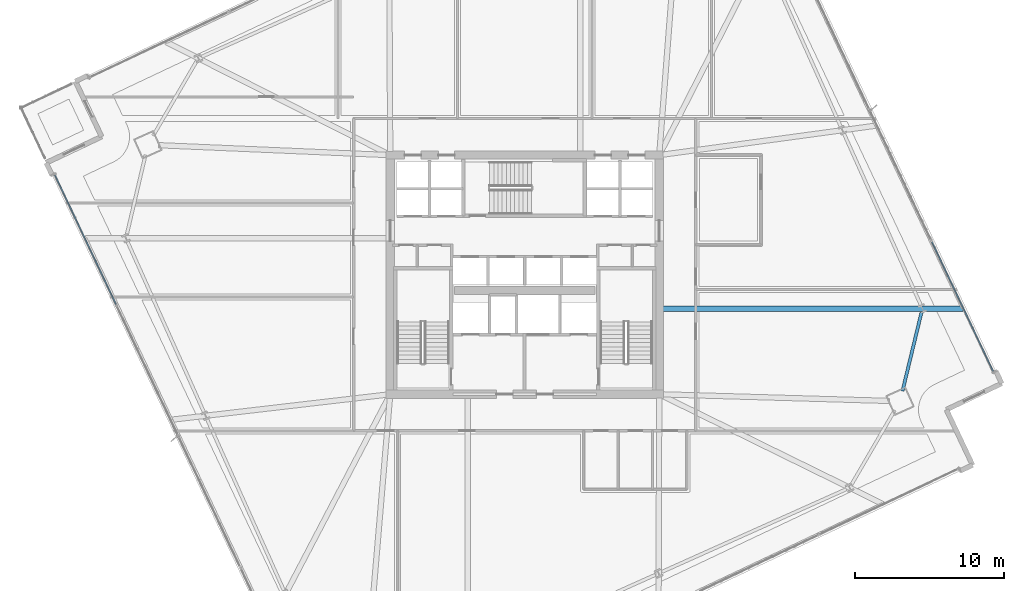
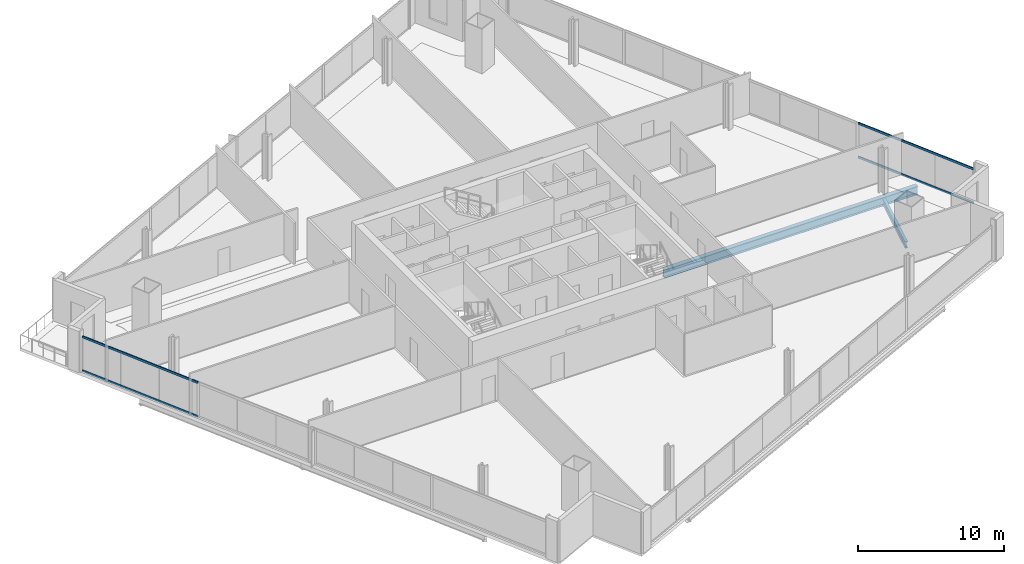
# One storey, part 12 of 34: 4 members, 2 beams, 2 elements without a shape of their own.
"""IFC4 building model written with IfcOpenShell, lengths in metres."""

from ifc_helpers import new_model, si_unit, direction, frame, origin, origin_2d, place, context, subcontext, project, spatial, hollow_rectangle, i_section, extrude, material, material_profile, profile_set, type_object, element, aggregate, save


model = new_model("IFC4")

# Units and contexts
model_context = context("Model", 3, precision=1e-05, world=origin(), true_north=direction((0.0, 1.0)))
body_context = subcontext(model_context, "Body", "Model", "MODEL_VIEW")
ifc_project = project(units=[si_unit("LENGTHUNIT", "METRE"), si_unit("AREAUNIT", "SQUARE_METRE"), si_unit("VOLUMEUNIT", "CUBIC_METRE"), si_unit("PLANEANGLEUNIT", "RADIAN"), si_unit("MASSUNIT", "GRAM", prefix="KILO")], contexts=[model_context])

# Site, building, storey
site_placement = place(None, origin())
site = spatial("IfcSite", under=ifc_project, at=site_placement, CompositionType="ELEMENT")
building_placement = place(site_placement, origin())
building = spatial("IfcBuilding", under=site, at=building_placement, Name="Haldenkirk Collegiate Tower", CompositionType="ELEMENT")
storey_placement = place(building_placement, frame((0.0, 0.0, 112.949951171875)))
storey = spatial("IfcBuildingStorey", under=building, at=storey_placement, Name="L27", CompositionType="ELEMENT", Elevation=112.949951171875)

# Beams
ifc_material_1 = material(Name="Steel ASTM A992 Grade 50", Category="steel")
ifc_material_profile_1 = material_profile(ifc_material_1, i_section(OverallWidth=0.35498046875, OverallDepth=0.696044921875, WebThickness=0.015380859375, FlangeThickness=0.02490234375, at=origin_2d()), Name="W27X146")
ifc_profile_set_1 = profile_set([ifc_material_profile_1], Name="Steel ASTM A992 Grade 50")
beam_type_1 = type_object("IfcBeamType", Name="BM-GIRDER-W27X146", PredefinedType="BEAM", material=ifc_profile_set_1)
beam_1_placement = place(storey_placement, frame((65.312744140625, 23.727294921875, -0.64794921875), z_axis=(-1.0, 0.0, 0.0), x_axis=(0.0, -1.0, 0.0)))
element("IfcBeam", 1, at=beam_1_placement, inside=storey, type_object=beam_type_1, Name="L27 primary floor girder 08", PredefinedType="BEAM", context=body_context, shape_type="SweptSolid", body=[
    extrude(i_section(OverallWidth=0.35498046875, OverallDepth=0.696044921875, WebThickness=0.015380859375, FlangeThickness=0.02490234375, at=origin_2d()), origin(), (0.0, 0.0, 1.0), 20.057861328125),
])
ifc_material_profile_2 = material_profile(ifc_material_1, i_section(OverallWidth=0.2119140625, OverallDepth=0.5439453125, WebThickness=0.01318359375, FlangeThickness=0.021240234375, at=origin_2d()), Name="W21X83")
ifc_profile_set_2 = profile_set([ifc_material_profile_2], Name="Steel ASTM A992 Grade 50")
beam_type_2 = type_object("IfcBeamType", Name="BM-SPANDREL-W21X83", PredefinedType="SPANDREL", material=ifc_profile_set_2)
beam_2_placement = place(storey_placement, frame((61.277587890625, 18.21826171875, -0.572021484375), z_axis=(0.234815122269, 0.972040049768, 0.0), x_axis=(-0.972040049768, 0.234815122269, 0.0)))
element("IfcBeam", 2, at=beam_2_placement, inside=storey, type_object=beam_type_2, Name="L27 perimeter spandrel beam 05", PredefinedType="SPANDREL", context=body_context, shape_type="SweptSolid", body=[
    extrude(i_section(OverallWidth=0.2119140625, OverallDepth=0.5439453125, WebThickness=0.01318359375, FlangeThickness=0.021240234375, at=origin_2d()), origin(), (0.0, 0.0, 1.0), 5.422119140625),
])

# Curtain wall, members
ifc_material_2 = material(Name="Anodised architectural bronze aluminium", Category="aluminium")
curtain_wall_type = type_object("IfcCurtainWallType", Name="CW-SYS1-CONVEX-LOW", PredefinedType="USERDEFINED", material=ifc_material_2)
curtain_wall_1_placement = place(storey_placement, origin())
curtain_wall_1 = element("IfcCurtainWall", 3, at=curtain_wall_1_placement, inside=storey, type_object=curtain_wall_type, Name="L27 Lower tower convex bronze-framed unitised curtain wall", ObjectType="UNITISED CURTAIN WALL", PredefinedType="USERDEFINED")
ifc_material_profile_3 = material_profile(ifc_material_2, hollow_rectangle(XDim=0.080078125, YDim=0.179931640625, WallThickness=0.0048828125, at=origin_2d()), Name="CW-TRN-1A")
ifc_profile_set_3 = profile_set([ifc_material_profile_3], Name="Anodised architectural bronze aluminium")
member_type = type_object("IfcMemberType", Name="CW-TRN-1A", PredefinedType="USERDEFINED", material=ifc_profile_set_3)
member_1_placement = place(storey_placement, frame((63.23974609375, 28.20654296875, 0.0400390625), z_axis=(0.427356937721, -0.904082987221, 0.0), x_axis=(0.904082987221, 0.427356937721, 0.0)))
member_1 = element("IfcMember", 4, at=member_1_placement, type_object=member_type, Name="CW-1A transom 4.1", ObjectType="TRANSOM", PredefinedType="USERDEFINED", context=body_context, shape_type="SweptSolid", body=[
    extrude(hollow_rectangle(XDim=0.080078125, YDim=0.179931640625, WallThickness=0.0048828125, at=origin_2d()), origin(), (0.0, 0.0, 1.0), 9.5986328125),
])
member_2_placement = place(storey_placement, frame((63.23974609375, 28.20654296875, 2.861083984375), z_axis=(0.427356937721, -0.904082987221, 0.0), x_axis=(0.904082987221, 0.427356937721, 0.0)))
member_2 = element("IfcMember", 5, at=member_2_placement, type_object=member_type, Name="CW-1A transom 4.2", ObjectType="TRANSOM", PredefinedType="USERDEFINED", context=body_context, shape_type="SweptSolid", body=[
    extrude(hollow_rectangle(XDim=0.080078125, YDim=0.179931640625, WallThickness=0.0048828125, at=origin_2d()), origin(), (0.0, 0.0, 1.0), 9.5986328125),
])
aggregate(curtain_wall_1, [member_1, member_2])

curtain_wall_2_placement = place(storey_placement, origin())
curtain_wall_2 = element("IfcCurtainWall", 6, at=curtain_wall_2_placement, inside=storey, type_object=curtain_wall_type, Name="L27 Lower tower convex bronze-framed unitised curtain wall", ObjectType="UNITISED CURTAIN WALL", PredefinedType="USERDEFINED")
member_3_placement = place(storey_placement, frame((8.6640625, 23.996826171875, 0.0400390625), z_axis=(-0.427377726993, 0.90407315991, 0.0), x_axis=(-0.90407315991, -0.427377726993, 0.0)))
member_3 = element("IfcMember", 7, at=member_3_placement, type_object=member_type, Name="CW-1A transom 4.1", ObjectType="TRANSOM", PredefinedType="USERDEFINED", context=body_context, shape_type="SweptSolid", body=[
    extrude(hollow_rectangle(XDim=0.080078125, YDim=0.179931640625, WallThickness=0.0048828125, at=origin_2d()), origin(), (0.0, 0.0, 1.0), 9.598876953125),
])
member_4_placement = place(storey_placement, frame((8.6640625, 23.996826171875, 2.861083984375), z_axis=(-0.427377726993, 0.90407315991, 0.0), x_axis=(-0.90407315991, -0.427377726993, 0.0)))
member_4 = element("IfcMember", 8, at=member_4_placement, type_object=member_type, Name="CW-1A transom 4.2", ObjectType="TRANSOM", PredefinedType="USERDEFINED", context=body_context, shape_type="SweptSolid", body=[
    extrude(hollow_rectangle(XDim=0.080078125, YDim=0.179931640625, WallThickness=0.0048828125, at=origin_2d()), origin(), (0.0, 0.0, 1.0), 9.598876953125),
])
aggregate(curtain_wall_2, [member_3, member_4])

save(model, "model.ifc")
